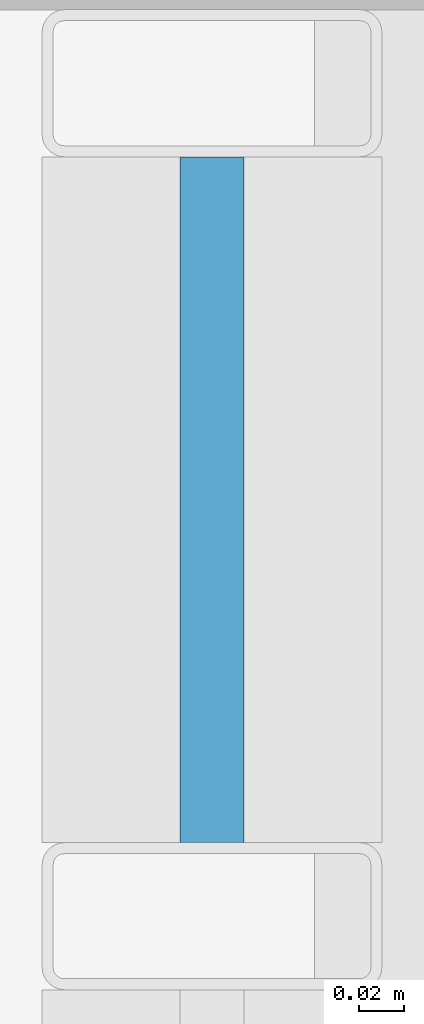
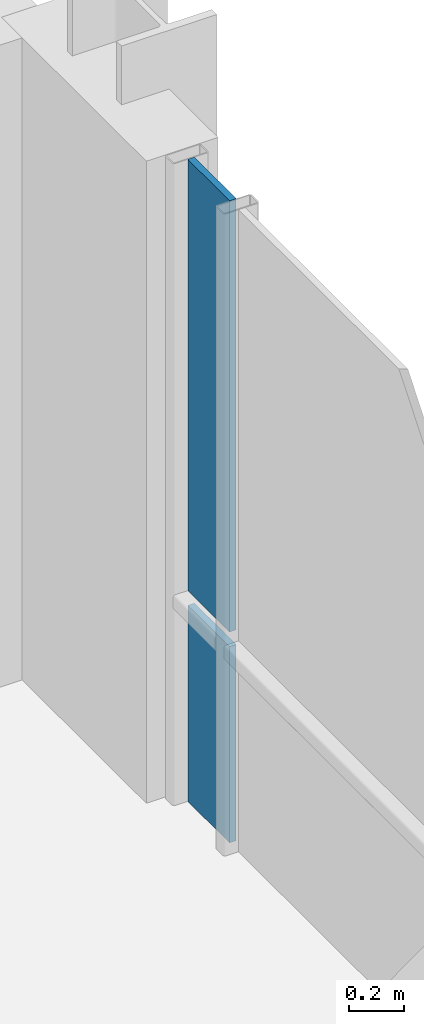
# One storey, part 27 of 36: 2 plates, 1 element without a shape of its own.
"""IFC4 building model written with IfcOpenShell, lengths in metres."""

from ifc_helpers import new_model, si_unit, direction, frame, origin, origin_2d, place, context, subcontext, project, spatial, rectangle, extrude, material, layer, layer_set, type_object, element, aggregate, save


model = new_model("IFC4")

# Units and contexts
model_context = context("Model", 3, precision=1e-05, world=origin(), true_north=direction((0.0, 1.0)))
body_context = subcontext(model_context, "Body", "Model", "MODEL_VIEW")
ifc_project = project(units=[si_unit("LENGTHUNIT", "METRE"), si_unit("AREAUNIT", "SQUARE_METRE"), si_unit("VOLUMEUNIT", "CUBIC_METRE"), si_unit("PLANEANGLEUNIT", "RADIAN"), si_unit("MASSUNIT", "GRAM", prefix="KILO")], contexts=[model_context])

# Site, building, storey
site_placement = place(None, origin())
site = spatial("IfcSite", under=ifc_project, at=site_placement, CompositionType="ELEMENT")
building_placement = place(site_placement, origin())
building = spatial("IfcBuilding", under=site, at=building_placement, Name="Brevholm Reach", CompositionType="ELEMENT")
storey_placement = place(building_placement, frame((0.0, 0.0, 175.89990234375)))
storey = spatial("IfcBuildingStorey", under=building, at=storey_placement, Name="L53", CompositionType="ELEMENT", Elevation=175.89990234375)

# Curtain wall, plates
ifc_material_1 = material(Name="Dark Anodised Aluminium 6063-T6 and Solar-Control Glass", Category="aluminium")
ifc_layer_1 = layer(ifc_material_1, 0.14990234375)
ifc_layer_set_1 = layer_set([ifc_layer_1], Name="Dark Anodised Aluminium 6063-T6 and Solar-Control Glass")
curtain_wall_type = type_object("IfcCurtainWallType", Name="CW-01", PredefinedType="NOTDEFINED", material=ifc_layer_set_1)
curtain_wall_placement = place(storey_placement, origin())
curtain_wall = element("IfcCurtainWall", 1, at=curtain_wall_placement, inside=storey, type_object=curtain_wall_type, Name="L53 Curtain Wall CW-01", PredefinedType="NOTDEFINED")
ifc_material_2 = material(Name="Dark Solar-Control Double-Glazed IGU Glass", Category="glass")
ifc_layer_2 = layer(ifc_material_2, 0.028076171875)
ifc_layer_set_2 = layer_set([ifc_layer_2], Name="Dark Solar-Control Double-Glazed IGU Glass")
plate_type = type_object("IfcPlateType", Name="CWP-GLZ-28", PredefinedType="CURTAIN_PANEL", material=ifc_layer_set_2)
plate_1_placement = place(storey_placement, frame((59.85009765625, 22.733642578125, 0.0), z_axis=(0.0, 0.0, 1.0), x_axis=(0.0, 1.0, 0.0)))
plate_1 = element("IfcPlate", 2, at=plate_1_placement, type_object=plate_type, Name="CP-01 Glazing Panel 5.1", PredefinedType="CURTAIN_PANEL", context=body_context, shape_type="SweptSolid", body=[
    extrude(rectangle(XDim=0.302490234375, YDim=0.028076171875, at=origin_2d()), origin(), (0.0, 0.0, 1.0), 0.867431640625),
])
plate_2_placement = place(storey_placement, frame((59.85009765625, 22.733642578125, 0.9326171875), z_axis=(0.0, 0.0, 1.0), x_axis=(0.0, 1.0, 0.0)))
plate_2 = element("IfcPlate", 3, at=plate_2_placement, type_object=plate_type, Name="CP-01 Glazing Panel 5.2", PredefinedType="CURTAIN_PANEL", context=body_context, shape_type="SweptSolid", body=[
    extrude(rectangle(XDim=0.302490234375, YDim=0.028076171875, at=origin_2d()), origin(), (0.0, 0.0, 1.0), 1.907470703125),
])
aggregate(curtain_wall, [plate_1, plate_2])

save(model, "model.ifc")
